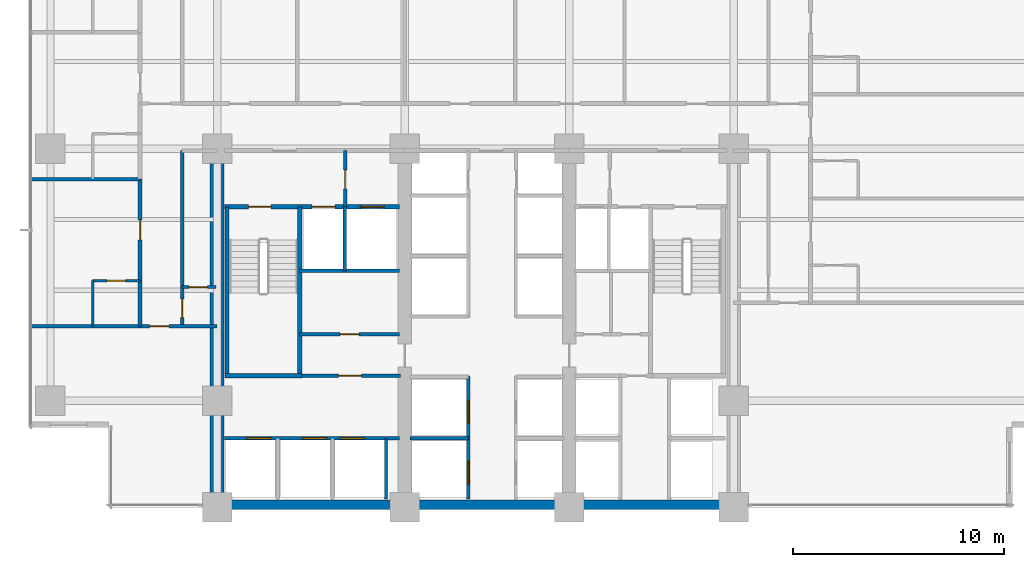
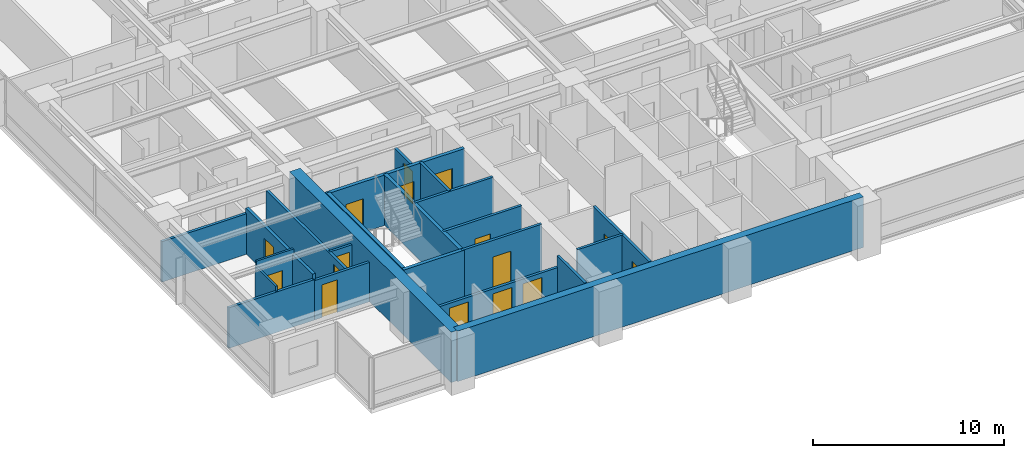
# One storey, part 7 of 16: 24 walls, 16 doors, 16 openings.
"""IFC4 building model written with IfcOpenShell, lengths in metres."""

from ifc_helpers import new_model, si_unit, direction, frame, frame_2d, origin, place, context, subcontext, project, spatial, rectangle, extrude, material, layer, layer_set, type_object, element, fill, save


model = new_model("IFC4")

# Units and contexts
model_context = context("Model", 3, precision=1e-05, world=origin(), true_north=direction((0.0, 1.0)))
body_context = subcontext(model_context, "Body", "Model", "MODEL_VIEW")
ifc_project = project(units=[si_unit("LENGTHUNIT", "METRE"), si_unit("AREAUNIT", "SQUARE_METRE"), si_unit("VOLUMEUNIT", "CUBIC_METRE"), si_unit("PLANEANGLEUNIT", "RADIAN"), si_unit("MASSUNIT", "GRAM", prefix="KILO")], contexts=[model_context])

# Site, building, storey
site_placement = place(None, origin())
site = spatial("IfcSite", under=ifc_project, at=site_placement, CompositionType="ELEMENT")
building_placement = place(site_placement, origin())
building = spatial("IfcBuilding", under=site, at=building_placement, Name="Qalmaran Belvedere Hotel", CompositionType="ELEMENT")
storey_placement = place(building_placement, frame((0.0, 0.0, 36.89990234375)))
storey = spatial("IfcBuildingStorey", under=building, at=storey_placement, Name="L08", CompositionType="ELEMENT", Elevation=36.89990234375)

# Walls
ifc_material_1 = material(Name="Concrete C60/75", Category="concrete")
ifc_layer_1 = layer(ifc_material_1, 0.64990234375, Name="Concrete C60/75")
ifc_layer_set_1 = layer_set([ifc_layer_1], Name="Concrete C60/75")
wall_type_1 = type_object("IfcWallType", Name="WL-CORE-650-C60", PredefinedType="SHEAR", material=ifc_layer_set_1)
wall_1_placement = place(storey_placement, frame((20.300048828125, 3.5, 0.0), z_axis=(0.0, 0.0, 1.0), x_axis=(0.0, 1.0, 0.0)))
element("IfcWall", 1, at=wall_1_placement, inside=storey, type_object=wall_type_1, Name="L08 West Core Shear Wall", PredefinedType="SHEAR", context=body_context, shape_type="SweptSolid", body=[
    extrude(rectangle(XDim=16.89990234375, YDim=0.64990234375, at=frame_2d((8.449951171875, 0.0))), origin(), (0.0, 0.0, 1.0), 3.22021484375),
])
ifc_material_2 = material(Name="Concrete C50/60", Category="concrete")
ifc_layer_2 = layer(ifc_material_2, 0.43994140625, Name="Concrete C50/60")
ifc_layer_set_2 = layer_set([ifc_layer_2], Name="Concrete C50/60")
wall_type_2 = type_object("IfcWallType", Name="WL-CORES-440-EXT", PredefinedType="SHEAR", material=ifc_layer_set_2)
wall_2_placement = place(storey_placement, frame((20.300048828125, 3.6298828125, 0.0), z_axis=(0.0, 0.0, 1.0), x_axis=(1.0, 0.0, 0.0)))
element("IfcWall", 2, at=wall_2_placement, inside=storey, type_object=wall_type_2, Name="L08 South Core Shear Wall", PredefinedType="SHEAR", context=body_context, shape_type="SweptSolid", body=[
    extrude(rectangle(XDim=24.5, YDim=0.43994140625, at=frame_2d((12.25, 0.0))), origin(), (0.0, 0.0, 1.0), 3.22021484375),
])

# Wall, opening, door
ifc_material_3 = material(Name="Moisture-Resistant Gypsum")
ifc_layer_3 = layer(ifc_material_3, 0.1201171875, Name="Moisture-Resistant Gypsum")
ifc_layer_set_3 = layer_set([ifc_layer_3], Name="Moisture-Resistant Gypsum")
wall_type_3 = type_object("IfcWallType", Name="WL-INT-120-BATH", PredefinedType="PARTITIONING", material=ifc_layer_set_3)
wall_3_placement = place(storey_placement, frame((14.39990234375, 14.25, 0.0), z_axis=(0.0, 0.0, 1.0), x_axis=(1.0, 0.0, 0.0)))
wall_3 = element("IfcWall", 3, at=wall_3_placement, inside=storey, type_object=wall_type_3, Name="L08 Partition WL-L08-WBN00", PredefinedType="PARTITIONING", context=body_context, shape_type="SweptSolid", body=[
    extrude(rectangle(XDim=2.25, YDim=0.1201171875, at=frame_2d((1.125, 0.0))), origin(), (0.0, 0.0, 1.0), 3.22021484375),
])
opening_1_placement = place(wall_3_placement, frame((1.56494140625, 0.0, 0.0), z_axis=(0.0, 0.0, 1.0), x_axis=(-1.0, 0.0, 0.0)))
opening_1 = element("IfcOpeningElement", 4, at=opening_1_placement, cuts=wall_3, Name="Opening D-BATH", PredefinedType="OPENING", context=body_context, shape_type="SweptSolid", body=[
    extrude(rectangle(XDim=0.8798828125, YDim=2.080078125, at=frame_2d((0.43994140625, 1.0400390625))), frame((0.0, 0.070068359375, 0.0), z_axis=(0.0, -1.0, 0.0), x_axis=(1.0, 0.0, 0.0)), (0.0, 0.0, 1.0), 0.14013671875),
])
ifc_material_4 = material(Name="Engineered Oak Veneer")
door_type_1 = type_object("IfcDoorType", Name="DR-INT-BATH-880X2080", OperationType="NOTDEFINED", PredefinedType="DOOR", material=ifc_material_4)
door_1_placement = place(opening_1_placement, origin())
door_1 = element("IfcDoor", 5, at=door_1_placement, inside=storey, type_object=door_type_1, Name="L08 W Ensuite Door 01", OperationType="SINGLE_SWING_RIGHT", OverallHeight=2.080078125, OverallWidth=0.8798828125, PredefinedType="DOOR", context=body_context, shape_type="SweptSolid", body=[
    extrude(rectangle(XDim=0.8798828125, YDim=2.080078125, at=frame_2d((0.43994140625, 1.0400390625))), frame((0.0, 0.02490234375, 0.0), z_axis=(0.0, -1.0, 0.0), x_axis=(1.0, 0.0, 0.0)), (0.0, 0.0, 1.0), 0.050048828125),
])
fill(opening_1, door_1)

# Wall
wall_4_placement = place(storey_placement, frame((14.39990234375, 12.10009765625, 0.0), z_axis=(0.0, 0.0, 1.0), x_axis=(0.0, 1.0, 0.0)))
element("IfcWall", 6, at=wall_4_placement, inside=storey, type_object=wall_type_3, Name="L08 Partition WL-L08-WBS00", PredefinedType="PARTITIONING", context=body_context, shape_type="SweptSolid", body=[
    extrude(rectangle(XDim=2.14990234375, YDim=0.1201171875, at=frame_2d((1.074951171875, 0.0))), origin(), (0.0, 0.0, 1.0), 2.902099609375),
])

# Wall, opening, door
ifc_material_5 = material(Name="Gypsum Stud Partition")
ifc_layer_4 = layer(ifc_material_5, 0.139892578125, Name="Gypsum Stud Partition")
ifc_layer_set_4 = layer_set([ifc_layer_4], Name="Gypsum Stud Partition")
wall_type_4 = type_object("IfcWallType", Name="WL-INT-140-NR", PredefinedType="PARTITIONING", material=ifc_layer_set_4)
wall_5_placement = place(storey_placement, frame((18.64990234375, 13.949951171875, 0.0), z_axis=(0.0, 0.0, 1.0), x_axis=(1.0, 0.0, 0.0)))
wall_5 = element("IfcWall", 7, at=wall_5_placement, inside=storey, type_object=wall_type_4, Name="L08 Partition WL-L08-WCLSUB", PredefinedType="PARTITIONING", context=body_context, shape_type="SweptSolid", body=[
    extrude(rectangle(XDim=1.60009765625, YDim=0.139892578125, at=frame_2d((0.800048828125, 0.0))), origin(), (0.0, 0.0, 1.0), 2.510009765625),
])
opening_2_placement = place(wall_5_placement, frame((1.193115234375, 0.0, 0.0), z_axis=(0.0, 0.0, 1.0), x_axis=(-1.0, 0.0, 0.0)))
opening_2 = element("IfcOpeningElement", 8, at=opening_2_placement, cuts=wall_5, Name="Opening D-BATH", PredefinedType="OPENING", context=body_context, shape_type="SweptSolid", body=[
    extrude(rectangle(XDim=0.8798828125, YDim=2.080078125, at=frame_2d((0.43994140625, 1.0400390625))), frame((0.0, 0.080078125, 0.0), z_axis=(0.0, -1.0, 0.0), x_axis=(1.0, 0.0, 0.0)), (0.0, 0.0, 1.0), 0.159912109375),
])
door_2_placement = place(opening_2_placement, origin())
door_2 = element("IfcDoor", 9, at=door_2_placement, inside=storey, type_object=door_type_1, Name="L08 Closet Alcove Door", OperationType="SINGLE_SWING_LEFT", OverallHeight=2.080078125, OverallWidth=0.8798828125, PredefinedType="DOOR", context=body_context, shape_type="SweptSolid", body=[
    extrude(rectangle(XDim=0.8798828125, YDim=2.080078125, at=frame_2d((0.43994140625, 1.0400390625))), frame((0.0, 0.02490234375, 0.0), z_axis=(0.0, -1.0, 0.0), x_axis=(1.0, 0.0, 0.0)), (0.0, 0.0, 1.0), 0.050048828125),
])
fill(opening_2, door_2)

# Walls
ifc_layer_5 = layer(ifc_material_5, 0.14990234375, Name="Gypsum Stud Partition")
ifc_layer_set_5 = layer_set([ifc_layer_5], Name="Gypsum Stud Partition")
wall_type_5 = type_object("IfcWallType", Name="WL-INT-150-EI120", PredefinedType="PARTITIONING", material=ifc_layer_set_5)
wall_6_placement = place(storey_placement, frame((26.360107421875, 14.719970703125, 0.0), z_axis=(0.0, 0.0, 1.0), x_axis=(0.0, 1.0, 0.0)))
element("IfcWall", 10, at=wall_6_placement, inside=storey, type_object=wall_type_5, Name="L08 Partition WL-FF1M-L08", PredefinedType="PARTITIONING", context=body_context, shape_type="SweptSolid", body=[
    extrude(rectangle(XDim=3.0400390625, YDim=0.14990234375, at=frame_2d((1.52001953125, 0.0))), origin(), (0.0, 0.0, 1.0), 3.22021484375),
])
wall_7_placement = place(storey_placement, frame((28.320068359375, 3.89990234375, 0.0), z_axis=(0.0, 0.0, 1.0), x_axis=(0.0, 1.0, 0.0)))
element("IfcWall", 11, at=wall_7_placement, inside=storey, type_object=wall_type_5, Name="L08 Partition WL-POM3-L08", PredefinedType="PARTITIONING", context=body_context, shape_type="SweptSolid", body=[
    extrude(rectangle(XDim=2.880126953125, YDim=0.14990234375, at=frame_2d((1.43994140625, 0.0))), origin(), (0.0, 0.0, 1.0), 3.22021484375),
])
wall_8_placement = place(storey_placement, frame((29.449951171875, 6.780029296875, 0.0), z_axis=(0.0, 0.0, 1.0), x_axis=(1.0, 0.0, 0.0)))
element("IfcWall", 12, at=wall_8_placement, inside=storey, type_object=wall_type_5, Name="L08 Partition WL-PLW-L08-67", PredefinedType="PARTITIONING", context=body_context, shape_type="SweptSolid", body=[
    extrude(rectangle(XDim=2.77001953125, YDim=0.14990234375, at=frame_2d((1.385009765625, 0.0))), origin(), (0.0, 0.0, 1.0), 3.22021484375),
])

# Wall, opening, door
ifc_layer_6 = layer(ifc_material_5, 0.159912109375, Name="Gypsum Stud Partition")
ifc_layer_set_6 = layer_set([ifc_layer_6], Name="Gypsum Stud Partition")
wall_type_6 = type_object("IfcWallType", Name="WL-INT-160-EI120", PredefinedType="PARTITIONING", material=ifc_layer_set_6)
wall_9_placement = place(storey_placement, frame((26.3798828125, 17.760009765625, 0.0), z_axis=(0.0, 0.0, 1.0), x_axis=(0.0, 1.0, 0.0)))
wall_9 = element("IfcWall", 13, at=wall_9_placement, inside=storey, type_object=wall_type_6, Name="L08 Partition WL-FFSV1-L08", PredefinedType="PARTITIONING", context=body_context, shape_type="SweptSolid", body=[
    extrude(rectangle(XDim=2.659912109375, YDim=0.159912109375, at=frame_2d((1.330078125, 0.0))), origin(), (0.0, 0.0, 1.0), 2.510009765625),
])
opening_3_placement = place(wall_9_placement, frame((0.85009765625, 0.0, 0.0)))
opening_3 = element("IfcOpeningElement", 14, at=opening_3_placement, cuts=wall_9, Name="Opening FD60B", PredefinedType="OPENING", context=body_context, shape_type="SweptSolid", body=[
    extrude(rectangle(XDim=0.8798828125, YDim=2.080078125, at=frame_2d((0.43994140625, 1.0400390625))), frame((0.0, 0.08984375, 0.0), z_axis=(0.0, -1.0, 0.0), x_axis=(1.0, 0.0, 0.0)), (0.0, 0.0, 1.0), 0.179931640625),
])
ifc_material_6 = material(Name="Steel S355JR", Category="steel")
door_type_2 = type_object("IfcDoorType", Name="DR-FD60B-880X2080", OperationType="NOTDEFINED", PredefinedType="DOOR", material=ifc_material_6)
door_3_placement = place(opening_3_placement, origin())
door_3 = element("IfcDoor", 15, at=door_3_placement, inside=storey, type_object=door_type_2, Name="L08 Service Lobby West Door", OperationType="SINGLE_SWING_LEFT", OverallHeight=2.080078125, OverallWidth=0.8798828125, PredefinedType="DOOR", context=body_context, shape_type="SweptSolid", body=[
    extrude(rectangle(XDim=0.8798828125, YDim=2.080078125, at=frame_2d((0.43994140625, 1.0400390625))), frame((0.0, 0.02490234375, 0.0), z_axis=(0.0, -1.0, 0.0), x_axis=(1.0, 0.0, 0.0)), (0.0, 0.0, 1.0), 0.050048828125),
])
fill(opening_3, door_3)

# Wall
wall_10_placement = place(storey_placement, frame((24.219970703125, 14.719970703125, 0.0), z_axis=(0.0, 0.0, 1.0), x_axis=(1.0, 0.0, 0.0)))
element("IfcWall", 16, at=wall_10_placement, inside=storey, type_object=wall_type_6, Name="L08 Partition WL-FF1S-L08", PredefinedType="PARTITIONING", context=body_context, shape_type="SweptSolid", body=[
    extrude(rectangle(XDim=4.72998046875, YDim=0.159912109375, at=frame_2d((2.364990234375, 0.0))), origin(), (0.0, 0.0, 1.0), 3.22021484375),
])

# Wall, openings, doors
wall_11_placement = place(storey_placement, frame((20.64990234375, 6.780029296875, 0.0), z_axis=(0.0, 0.0, 1.0), x_axis=(1.0, 0.0, 0.0)))
wall_11 = element("IfcWall", 17, at=wall_11_placement, inside=storey, type_object=wall_type_6, Name="L08 Partition WL-POS-L08", PredefinedType="PARTITIONING", context=body_context, shape_type="SweptSolid", body=[
    extrude(rectangle(XDim=8.300048828125, YDim=0.159912109375, at=frame_2d((4.14990234375, 0.0))), origin(), (0.0, 0.0, 1.0), 2.510009765625),
])
opening_4_placement = place(wall_11_placement, frame((3.69482421875, 0.0, 0.0)))
opening_4 = element("IfcOpeningElement", 18, at=opening_4_placement, cuts=wall_11, Name="Opening LD-PO", PredefinedType="OPENING", context=body_context, shape_type="SweptSolid", body=[
    extrude(rectangle(XDim=1.14990234375, YDim=2.199951171875, at=frame_2d((0.574951171875, 1.10009765625))), frame((0.0, 0.08984375, 0.0), z_axis=(0.0, -1.0, 0.0), x_axis=(1.0, 0.0, 0.0)), (0.0, 0.0, 1.0), 0.179931640625),
])
opening_5_placement = place(wall_11_placement, frame((5.4921875, 0.0, 0.0)))
opening_5 = element("IfcOpeningElement", 19, at=opening_5_placement, cuts=wall_11, Name="Opening LD-PO", PredefinedType="OPENING", context=body_context, shape_type="SweptSolid", body=[
    extrude(rectangle(XDim=1.14990234375, YDim=2.199951171875, at=frame_2d((0.574951171875, 1.10009765625))), frame((0.0, 0.08984375, 0.0), z_axis=(0.0, -1.0, 0.0), x_axis=(1.0, 0.0, 0.0)), (0.0, 0.0, 1.0), 0.179931640625),
])
opening_6_placement = place(wall_11_placement, frame((1.058837890625, 0.0, 0.0)))
opening_6 = element("IfcOpeningElement", 20, at=opening_6_placement, cuts=wall_11, Name="Opening LD-PO", PredefinedType="OPENING", context=body_context, shape_type="SweptSolid", body=[
    extrude(rectangle(XDim=1.14990234375, YDim=2.199951171875, at=frame_2d((0.574951171875, 1.10009765625))), frame((0.0, 0.08984375, 0.0), z_axis=(0.0, -1.0, 0.0), x_axis=(1.0, 0.0, 0.0)), (0.0, 0.0, 1.0), 0.179931640625),
])
ifc_material_7 = material(Name="Anodised Bronze Aluminium", Category="aluminium")
door_type_3 = type_object("IfcDoorType", Name="DR-LIFT-PO-1150X2200", OperationType="DOUBLE_DOOR_SLIDING", PredefinedType="DOOR", material=ifc_material_7)
door_4_placement = place(opening_4_placement, origin())
door_4 = element("IfcDoor", 21, at=door_4_placement, inside=storey, type_object=door_type_3, Name="L08 PO1 Shuttle Landing Door", OperationType="DOUBLE_DOOR_SLIDING", OverallHeight=2.199951171875, OverallWidth=1.14990234375, PredefinedType="DOOR", context=body_context, shape_type="SweptSolid", body=[
    extrude(rectangle(XDim=1.14990234375, YDim=2.199951171875, at=frame_2d((0.574951171875, 1.10009765625))), frame((0.0, 0.02490234375, 0.0), z_axis=(0.0, -1.0, 0.0), x_axis=(1.0, 0.0, 0.0)), (0.0, 0.0, 1.0), 0.050048828125),
])
fill(opening_4, door_4)
door_5_placement = place(opening_5_placement, origin())
door_5 = element("IfcDoor", 22, at=door_5_placement, inside=storey, type_object=door_type_3, Name="L08 PO2 Shuttle Landing Door", OperationType="DOUBLE_DOOR_SLIDING", OverallHeight=2.199951171875, OverallWidth=1.14990234375, PredefinedType="DOOR", context=body_context, shape_type="SweptSolid", body=[
    extrude(rectangle(XDim=1.14990234375, YDim=2.199951171875, at=frame_2d((0.574951171875, 1.10009765625))), frame((0.0, 0.02490234375, 0.0), z_axis=(0.0, -1.0, 0.0), x_axis=(1.0, 0.0, 0.0)), (0.0, 0.0, 1.0), 0.050048828125),
])
fill(opening_5, door_5)
door_6_placement = place(opening_6_placement, origin())
door_6 = element("IfcDoor", 23, at=door_6_placement, inside=storey, type_object=door_type_3, Name="L08 PO3 Shuttle Landing Door", OperationType="DOUBLE_DOOR_SLIDING", OverallHeight=2.199951171875, OverallWidth=1.14990234375, PredefinedType="DOOR", context=body_context, shape_type="SweptSolid", body=[
    extrude(rectangle(XDim=1.14990234375, YDim=2.199951171875, at=frame_2d((0.574951171875, 1.10009765625))), frame((0.0, 0.02490234375, 0.0), z_axis=(0.0, -1.0, 0.0), x_axis=(1.0, 0.0, 0.0)), (0.0, 0.0, 1.0), 0.050048828125),
])
fill(opening_6, door_6)

# Wall, opening, door
wall_12_placement = place(storey_placement, frame((24.199951171875, 9.739990234375, 0.0), z_axis=(0.0, 0.0, 1.0), x_axis=(1.0, 0.0, 0.0)))
wall_12 = element("IfcWall", 24, at=wall_12_placement, inside=storey, type_object=wall_type_6, Name="L08 Partition WL-PON-L08", PredefinedType="PARTITIONING", context=body_context, shape_type="SweptSolid", body=[
    extrude(rectangle(XDim=4.800048828125, YDim=0.159912109375, at=frame_2d((2.39990234375, 0.0))), origin(), (0.0, 0.0, 1.0), 3.22021484375),
])
opening_7_placement = place(wall_12_placement, frame((1.85009765625, 0.0, 0.0)))
opening_7 = element("IfcOpeningElement", 25, at=opening_7_placement, cuts=wall_12, Name="Opening FD90", PredefinedType="OPENING", context=body_context, shape_type="SweptSolid", body=[
    extrude(rectangle(XDim=1.10009765625, YDim=2.14990234375, at=frame_2d((0.550048828125, 1.074951171875))), frame((0.0, 0.08984375, 0.0), z_axis=(0.0, -1.0, 0.0), x_axis=(1.0, 0.0, 0.0)), (0.0, 0.0, 1.0), 0.179931640625),
])
door_type_4 = type_object("IfcDoorType", Name="DR-FD90-1100X2150", OperationType="NOTDEFINED", PredefinedType="DOOR", material=ifc_material_6)
door_7_placement = place(opening_7_placement, origin())
door_7 = element("IfcDoor", 26, at=door_7_placement, inside=storey, type_object=door_type_4, Name="L08 Shuttle Lobby Passage Door", OperationType="SINGLE_SWING_LEFT", OverallHeight=2.14990234375, OverallWidth=1.10009765625, PredefinedType="DOOR", context=body_context, shape_type="SweptSolid", body=[
    extrude(rectangle(XDim=1.10009765625, YDim=2.14990234375, at=frame_2d((0.550048828125, 1.074951171875))), frame((0.0, 0.02490234375, 0.0), z_axis=(0.0, -1.0, 0.0), x_axis=(1.0, 0.0, 0.0)), (0.0, 0.0, 1.0), 0.050048828125),
])
fill(opening_7, door_7)

# Wall, openings, doors
wall_13_placement = place(storey_placement, frame((32.219970703125, 3.89990234375, 0.0), z_axis=(0.0, 0.0, 1.0), x_axis=(0.0, 1.0, 0.0)))
wall_13 = element("IfcWall", 27, at=wall_13_placement, inside=storey, type_object=wall_type_6, Name="L08 Partition WL-CLBWS-L08", PredefinedType="PARTITIONING", context=body_context, shape_type="SweptSolid", body=[
    extrude(rectangle(XDim=5.840087890625, YDim=0.159912109375, at=frame_2d((2.919921875, 0.0))), origin(), (0.0, 0.0, 1.0), 3.22021484375),
])
opening_8_placement = place(wall_13_placement, frame((1.780029296875, 0.0, 0.0), z_axis=(0.0, 0.0, 1.0), x_axis=(-1.0, 0.0, 0.0)))
opening_8 = element("IfcOpeningElement", 28, at=opening_8_placement, cuts=wall_13, Name="Opening LD-P1", PredefinedType="OPENING", context=body_context, shape_type="SweptSolid", body=[
    extrude(rectangle(XDim=1.080078125, YDim=2.159912109375, at=frame_2d((0.5400390625, 1.080078125))), frame((0.0, 0.08984375, 0.0), z_axis=(0.0, -1.0, 0.0), x_axis=(1.0, 0.0, 0.0)), (0.0, 0.0, 1.0), 0.179931640625),
])
opening_9_placement = place(wall_13_placement, frame((4.68017578125, 0.0, 0.0), z_axis=(0.0, 0.0, 1.0), x_axis=(-1.0, 0.0, 0.0)))
opening_9 = element("IfcOpeningElement", 29, at=opening_9_placement, cuts=wall_13, Name="Opening LD-P1", PredefinedType="OPENING", context=body_context, shape_type="SweptSolid", body=[
    extrude(rectangle(XDim=1.080078125, YDim=2.159912109375, at=frame_2d((0.5400390625, 1.080078125))), frame((0.0, 0.08984375, 0.0), z_axis=(0.0, -1.0, 0.0), x_axis=(1.0, 0.0, 0.0)), (0.0, 0.0, 1.0), 0.179931640625),
])
ifc_material_8 = material(Name="Stainless Steel 1.4401", Category="steel")
door_type_5 = type_object("IfcDoorType", Name="DR-LIFT-P1-1080X2160", OperationType="DOUBLE_DOOR_SLIDING", PredefinedType="DOOR", material=ifc_material_8)
door_8_placement = place(opening_8_placement, origin())
door_8 = element("IfcDoor", 30, at=door_8_placement, inside=storey, type_object=door_type_5, Name="L08 PL1 Lift Landing Door", OperationType="DOUBLE_DOOR_SLIDING", OverallHeight=2.159912109375, OverallWidth=1.080078125, PredefinedType="DOOR", context=body_context, shape_type="SweptSolid", body=[
    extrude(rectangle(XDim=1.080078125, YDim=2.159912109375, at=frame_2d((0.5400390625, 1.080078125))), frame((0.0, 0.02490234375, 0.0), z_axis=(0.0, -1.0, 0.0), x_axis=(1.0, 0.0, 0.0)), (0.0, 0.0, 1.0), 0.050048828125),
])
fill(opening_8, door_8)
door_9_placement = place(opening_9_placement, origin())
door_9 = element("IfcDoor", 31, at=door_9_placement, inside=storey, type_object=door_type_5, Name="L08 PL2 Lift Landing Door", OperationType="DOUBLE_DOOR_SLIDING", OverallHeight=2.159912109375, OverallWidth=1.080078125, PredefinedType="DOOR", context=body_context, shape_type="SweptSolid", body=[
    extrude(rectangle(XDim=1.080078125, YDim=2.159912109375, at=frame_2d((0.5400390625, 1.080078125))), frame((0.0, 0.02490234375, 0.0), z_axis=(0.0, -1.0, 0.0), x_axis=(1.0, 0.0, 0.0)), (0.0, 0.0, 1.0), 0.050048828125),
])
fill(opening_9, door_9)

# Wall, opening, door
ifc_layer_7 = layer(ifc_material_5, 0.159912109375, Name="Gypsum Stud Partition")
ifc_layer_set_7 = layer_set([ifc_layer_7], Name="Gypsum Stud Partition")
wall_type_7 = type_object("IfcWallType", Name="WL-INT-160-EI60", PredefinedType="PARTITIONING", material=ifc_layer_set_7)
wall_14_placement = place(storey_placement, frame((24.219970703125, 11.719970703125, 0.0), z_axis=(0.0, 0.0, 1.0), x_axis=(1.0, 0.0, 0.0)))
wall_14 = element("IfcWall", 32, at=wall_14_placement, inside=storey, type_object=wall_type_7, Name="L08 Partition WL-L08-KWE1", PredefinedType="PARTITIONING", context=body_context, shape_type="SweptSolid", body=[
    extrude(rectangle(XDim=4.72998046875, YDim=0.159912109375, at=frame_2d((2.364990234375, 0.0))), origin(), (0.0, 0.0, 1.0), 3.22021484375),
])
opening_10_placement = place(wall_14_placement, frame((1.905029296875, 0.0, 0.0)))
opening_10 = element("IfcOpeningElement", 33, at=opening_10_placement, cuts=wall_14, Name="Opening FD60S1", PredefinedType="OPENING", context=body_context, shape_type="SweptSolid", body=[
    extrude(rectangle(XDim=0.919921875, YDim=2.080078125, at=frame_2d((0.4599609375, 1.0400390625))), frame((0.0, 0.08984375, 0.0), z_axis=(0.0, -1.0, 0.0), x_axis=(1.0, 0.0, 0.0)), (0.0, 0.0, 1.0), 0.179931640625),
])
door_type_6 = type_object("IfcDoorType", Name="DR-FD60S-920X2080", OperationType="NOTDEFINED", PredefinedType="DOOR", material=ifc_material_4)
door_10_placement = place(opening_10_placement, origin())
door_10 = element("IfcDoor", 34, at=door_10_placement, inside=storey, type_object=door_type_6, Name="L08 Electrical Distribution Room Door", OperationType="SINGLE_SWING_RIGHT", OverallHeight=2.080078125, OverallWidth=0.919921875, PredefinedType="DOOR", context=body_context, shape_type="SweptSolid", body=[
    extrude(rectangle(XDim=0.919921875, YDim=2.080078125, at=frame_2d((0.4599609375, 1.0400390625))), frame((0.0, 0.02490234375, 0.0), z_axis=(0.0, -1.0, 0.0), x_axis=(1.0, 0.0, 0.0)), (0.0, 0.0, 1.0), 0.050048828125),
])
fill(opening_10, door_10)

wall_15_placement = place(storey_placement, frame((16.64990234375, 12.10009765625, 0.0), z_axis=(0.0, 0.0, 1.0), x_axis=(1.0, 0.0, 0.0)))
wall_15 = element("IfcWall", 35, at=wall_15_placement, inside=storey, type_object=wall_type_7, Name="L08 Partition WL-L08-SWRL", PredefinedType="PARTITIONING", context=body_context, shape_type="SweptSolid", body=[
    extrude(rectangle(XDim=3.650146484375, YDim=0.159912109375, at=frame_2d((1.8251953125, 0.0))), origin(), (0.0, 0.0, 1.0), 2.510009765625),
])
opening_11_placement = place(wall_15_placement, frame((1.369873046875, 0.0, 0.0), z_axis=(0.0, 0.0, 1.0), x_axis=(-1.0, 0.0, 0.0)))
opening_11 = element("IfcOpeningElement", 36, at=opening_11_placement, cuts=wall_15, Name="Opening FD60S1", PredefinedType="OPENING", context=body_context, shape_type="SweptSolid", body=[
    extrude(rectangle(XDim=0.919921875, YDim=2.080078125, at=frame_2d((0.4599609375, 1.0400390625))), frame((0.0, 0.08984375, 0.0), z_axis=(0.0, -1.0, 0.0), x_axis=(1.0, 0.0, 0.0)), (0.0, 0.0, 1.0), 0.179931640625),
])
door_11_placement = place(opening_11_placement, origin())
door_11 = element("IfcDoor", 37, at=door_11_placement, inside=storey, type_object=door_type_6, Name="L08 SW Lounge Door", OperationType="SINGLE_SWING_LEFT", OverallHeight=2.080078125, OverallWidth=0.919921875, PredefinedType="DOOR", context=body_context, shape_type="SweptSolid", body=[
    extrude(rectangle(XDim=0.919921875, YDim=2.080078125, at=frame_2d((0.4599609375, 1.0400390625))), frame((0.0, 0.02490234375, 0.0), z_axis=(0.0, -1.0, 0.0), x_axis=(1.0, 0.0, 0.0)), (0.0, 0.0, 1.0), 0.050048828125),
])
fill(opening_11, door_11)

wall_16_placement = place(storey_placement, frame((18.64990234375, 12.10009765625, 0.0), z_axis=(0.0, 0.0, 1.0), x_axis=(0.0, 1.0, 0.0)))
wall_16 = element("IfcWall", 38, at=wall_16_placement, inside=storey, type_object=wall_type_7, Name="L08 Partition WL-L08-WCL", PredefinedType="PARTITIONING", context=body_context, shape_type="SweptSolid", body=[
    extrude(rectangle(XDim=8.31982421875, YDim=0.159912109375, at=frame_2d((4.159912109375, 0.0))), origin(), (0.0, 0.0, 1.0), 2.510009765625),
])
opening_12_placement = place(wall_16_placement, frame((1.27978515625, 0.0, 0.0), z_axis=(0.0, 0.0, 1.0), x_axis=(-1.0, 0.0, 0.0)))
opening_12 = element("IfcOpeningElement", 39, at=opening_12_placement, cuts=wall_16, Name="Opening FD60B", PredefinedType="OPENING", context=body_context, shape_type="SweptSolid", body=[
    extrude(rectangle(XDim=0.8798828125, YDim=2.080078125, at=frame_2d((0.43994140625, 1.0400390625))), frame((0.0, 0.08984375, 0.0), z_axis=(0.0, -1.0, 0.0), x_axis=(1.0, 0.0, 0.0)), (0.0, 0.0, 1.0), 0.179931640625),
])
door_12_placement = place(opening_12_placement, origin())
door_12 = element("IfcDoor", 40, at=door_12_placement, inside=storey, type_object=door_type_2, Name="L08 West Closet Door", OperationType="SINGLE_SWING_LEFT", OverallHeight=2.080078125, OverallWidth=0.8798828125, PredefinedType="DOOR", context=body_context, shape_type="SweptSolid", body=[
    extrude(rectangle(XDim=0.8798828125, YDim=2.080078125, at=frame_2d((0.43994140625, 1.0400390625))), frame((0.0, 0.02490234375, 0.0), z_axis=(0.0, -1.0, 0.0), x_axis=(1.0, 0.0, 0.0)), (0.0, 0.0, 1.0), 0.050048828125),
])
fill(opening_12, door_12)

# Walls
for number, where, z_axis, x_axis, name in (
    (41, (11.469970703125, 12.10009765625, 0.0), (0.0, 0.0, 1.0), (1.0, 0.0, 0.0), "L08 Partition WL-L08-WBOT"),
    (42, (11.469970703125, 19.066650390625, 0.0), (0.0, 0.0, 1.0), (1.0, 0.0, 0.0), "L08 Partition WL-L08-WU00"),
):
    element("IfcWall", number, at=place(storey_placement, frame(where, z_axis=z_axis, x_axis=x_axis)), inside=storey, type_object=wall_type_7, Name=name, PredefinedType="PARTITIONING", context=body_context, shape_type="SweptSolid", body=[
        extrude(rectangle(XDim=5.179931640625, YDim=0.159912109375, at=frame_2d((2.58984375, 0.0))), origin(), (0.0, 0.0, 1.0), 2.5830078125),
    ])
ifc_layer_8 = layer(ifc_material_5, 0.179931640625, Name="Gypsum Stud Partition")
ifc_layer_set_8 = layer_set([ifc_layer_8], Name="Gypsum Stud Partition")
wall_type_8 = type_object("IfcWallType", Name="WL-INT-180-EI60", PredefinedType="PARTITIONING", material=ifc_layer_set_8)
wall_17_placement = place(storey_placement, frame((16.64990234375, 12.10009765625, 0.0), z_axis=(0.0, 0.0, 1.0), x_axis=(0.0, 1.0, 0.0)))
element("IfcWall", 43, at=wall_17_placement, inside=storey, type_object=wall_type_8, Name="L08 Partition WL-L08-WBC00", PredefinedType="PARTITIONING", context=body_context, shape_type="SweptSolid", body=[
    extrude(rectangle(XDim=2.14990234375, YDim=0.179931640625, at=frame_2d((1.074951171875, 0.0))), origin(), (0.0, 0.0, 1.0), 2.902099609375),
])

# Wall, opening, door
wall_18_placement = place(storey_placement, frame((16.64990234375, 14.25, 0.0), z_axis=(0.0, 0.0, 1.0), x_axis=(0.0, 1.0, 0.0)))
wall_18 = element("IfcWall", 44, at=wall_18_placement, inside=storey, type_object=wall_type_8, Name="L08 Partition WL-L08-WEC00", PredefinedType="PARTITIONING", context=body_context, shape_type="SweptSolid", body=[
    extrude(rectangle(XDim=4.816650390625, YDim=0.179931640625, at=frame_2d((2.408203125, 0.0))), origin(), (0.0, 0.0, 1.0), 2.902099609375),
])
opening_13_placement = place(wall_18_placement, frame((1.933349609375, 0.0, 0.0)))
opening_13 = element("IfcOpeningElement", 45, at=opening_13_placement, cuts=wall_18, Name="Opening FD60", PredefinedType="OPENING", context=body_context, shape_type="SweptSolid", body=[
    extrude(rectangle(XDim=0.949951171875, YDim=2.14990234375, at=frame_2d((0.47509765625, 1.074951171875))), frame((0.0, 0.10009765625, 0.0), z_axis=(0.0, -1.0, 0.0), x_axis=(1.0, 0.0, 0.0)), (0.0, 0.0, 1.0), 0.199951171875),
])
door_type_7 = type_object("IfcDoorType", Name="DR-FD60-950X2150", OperationType="NOTDEFINED", PredefinedType="DOOR", material=ifc_material_4)
door_13_placement = place(opening_13_placement, origin())
door_13 = element("IfcDoor", 46, at=door_13_placement, inside=storey, type_object=door_type_7, Name="L08 W Wing Door 01", OperationType="SINGLE_SWING_LEFT", OverallHeight=2.14990234375, OverallWidth=0.949951171875, PredefinedType="DOOR", context=body_context, shape_type="SweptSolid", body=[
    extrude(rectangle(XDim=0.949951171875, YDim=2.14990234375, at=frame_2d((0.47509765625, 1.074951171875))), frame((0.0, 0.02490234375, 0.0), z_axis=(0.0, -1.0, 0.0), x_axis=(1.0, 0.0, 0.0)), (0.0, 0.0, 1.0), 0.050048828125),
])
fill(opening_13, door_13)

# Walls
ifc_layer_9 = layer(ifc_material_2, 0.2099609375, Name="Concrete C50/60")
ifc_layer_set_9 = layer_set([ifc_layer_9], Name="Concrete C50/60")
wall_type_9 = type_object("IfcWallType", Name="WL-STAIR-210-C50", PredefinedType="SHEAR", material=ifc_layer_set_9)
for number, where, z_axis, x_axis, name in (
    (47, (20.77490234375, 9.7451171875, 0.0), (0.0, 0.0, 1.0), (0.0, 1.0, 0.0), "L08 Stair ST-1 West Bearing Wall"),
    (48, (24.22509765625, 9.7451171875, 0.0), (0.0, 0.0, 1.0), (0.0, 1.0, 0.0), "L08 Stair ST-1 East Bearing Wall"),
):
    element("IfcWall", number, at=place(storey_placement, frame(where, z_axis=z_axis, x_axis=x_axis)), inside=storey, type_object=wall_type_9, Name=name, PredefinedType="SHEAR", context=body_context, shape_type="SweptSolid", body=[
        extrude(rectangle(XDim=8.009765625, YDim=0.2099609375, at=frame_2d((4.0048828125, 0.0))), origin(), (0.0, 0.0, 1.0), 3.22021484375),
    ])
wall_19_placement = place(storey_placement, frame((20.669921875, 9.7451171875, 0.0), z_axis=(0.0, 0.0, 1.0), x_axis=(1.0, 0.0, 0.0)))
element("IfcWall", 49, at=wall_19_placement, inside=storey, type_object=wall_type_9, Name="L08 Stair ST-1 South Bearing Wall", PredefinedType="SHEAR", context=body_context, shape_type="SweptSolid", body=[
    extrude(rectangle(XDim=3.66015625, YDim=0.2099609375, at=frame_2d((1.830078125, 0.0))), origin(), (0.0, 0.0, 1.0), 3.22021484375),
])

# Wall, openings, doors
wall_20_placement = place(storey_placement, frame((20.64990234375, 17.7548828125, 0.0), z_axis=(0.0, 0.0, 1.0), x_axis=(1.0, 0.0, 0.0)))
wall_20 = element("IfcWall", 50, at=wall_20_placement, inside=storey, type_object=wall_type_9, Name="L08 West Lobby and Stair ST-1 North Bearing Wall", PredefinedType="SHEAR", context=body_context, shape_type="SweptSolid", body=[
    extrude(rectangle(XDim=8.300048828125, YDim=0.2099609375, at=frame_2d((4.14990234375, 0.0))), origin(), (0.0, 0.0, 1.0), 3.22021484375),
])
opening_14_placement = place(wall_20_placement, frame((2.199951171875, 0.0, 0.0), z_axis=(0.0, 0.0, 1.0), x_axis=(-1.0, 0.0, 0.0)))
opening_14 = element("IfcOpeningElement", 51, at=opening_14_placement, cuts=wall_20, Name="Opening FD90S2", PredefinedType="OPENING", context=body_context, shape_type="SweptSolid", body=[
    extrude(rectangle(XDim=1.050048828125, YDim=2.14990234375, at=frame_2d((0.52490234375, 1.074951171875))), frame((0.0, 0.114990234375, 0.0), z_axis=(0.0, -1.0, 0.0), x_axis=(1.0, 0.0, 0.0)), (0.0, 0.0, 1.0), 0.22998046875),
])
opening_15_placement = place(wall_20_placement, frame((4.14990234375, 0.0, 0.0)))
opening_15 = element("IfcOpeningElement", 52, at=opening_15_placement, cuts=wall_20, Name="Opening LD-FF", PredefinedType="OPENING", context=body_context, shape_type="SweptSolid", body=[
    extrude(rectangle(XDim=1.10009765625, YDim=2.179931640625, at=frame_2d((0.550048828125, 1.08984375))), frame((0.0, 0.114990234375, 0.0), z_axis=(0.0, -1.0, 0.0), x_axis=(1.0, 0.0, 0.0)), (0.0, 0.0, 1.0), 0.22998046875),
])
opening_16_placement = place(wall_20_placement, frame((6.449951171875, 0.0, 0.0)))
opening_16 = element("IfcOpeningElement", 53, at=opening_16_placement, cuts=wall_20, Name="Opening LD-SV", PredefinedType="OPENING", context=body_context, shape_type="SweptSolid", body=[
    extrude(rectangle(XDim=1.1201171875, YDim=2.199951171875, at=frame_2d((0.56005859375, 1.10009765625))), frame((0.0, 0.114990234375, 0.0), z_axis=(0.0, -1.0, 0.0), x_axis=(1.0, 0.0, 0.0)), (0.0, 0.0, 1.0), 0.22998046875),
])
door_type_8 = type_object("IfcDoorType", Name="DR-FD90S-1050X2150", OperationType="NOTDEFINED", PredefinedType="DOOR", material=ifc_material_6)
door_14_placement = place(opening_14_placement, origin())
door_14 = element("IfcDoor", 54, at=door_14_placement, inside=storey, type_object=door_type_8, Name="L08 Stair ST-1 Door", OperationType="SINGLE_SWING_LEFT", OverallHeight=2.14990234375, OverallWidth=1.050048828125, PredefinedType="DOOR", context=body_context, shape_type="SweptSolid", body=[
    extrude(rectangle(XDim=1.050048828125, YDim=2.14990234375, at=frame_2d((0.52490234375, 1.074951171875))), frame((0.0, 0.02490234375, 0.0), z_axis=(0.0, -1.0, 0.0), x_axis=(1.0, 0.0, 0.0)), (0.0, 0.0, 1.0), 0.050048828125),
])
fill(opening_14, door_14)
door_type_9 = type_object("IfcDoorType", Name="DR-LIFT-FF-1100X2180", OperationType="DOUBLE_DOOR_SLIDING", PredefinedType="DOOR", material=ifc_material_8)
door_15_placement = place(opening_15_placement, origin())
door_15 = element("IfcDoor", 55, at=door_15_placement, inside=storey, type_object=door_type_9, Name="L08 FF1 Lift Landing Door", OperationType="DOUBLE_DOOR_SLIDING", OverallHeight=2.179931640625, OverallWidth=1.10009765625, PredefinedType="DOOR", context=body_context, shape_type="SweptSolid", body=[
    extrude(rectangle(XDim=1.10009765625, YDim=2.179931640625, at=frame_2d((0.550048828125, 1.08984375))), frame((0.0, 0.02490234375, 0.0), z_axis=(0.0, -1.0, 0.0), x_axis=(1.0, 0.0, 0.0)), (0.0, 0.0, 1.0), 0.050048828125),
])
fill(opening_15, door_15)
door_type_10 = type_object("IfcDoorType", Name="DR-LIFT-SV-1120X2200", OperationType="DOUBLE_DOOR_SLIDING", PredefinedType="DOOR", material=ifc_material_8)
door_16_placement = place(opening_16_placement, origin())
door_16 = element("IfcDoor", 56, at=door_16_placement, inside=storey, type_object=door_type_10, Name="L08 SV1 Lift Landing Door", OperationType="DOUBLE_DOOR_SLIDING", OverallHeight=2.199951171875, OverallWidth=1.1201171875, PredefinedType="DOOR", context=body_context, shape_type="SweptSolid", body=[
    extrude(rectangle(XDim=1.1201171875, YDim=2.199951171875, at=frame_2d((0.56005859375, 1.10009765625))), frame((0.0, 0.02490234375, 0.0), z_axis=(0.0, -1.0, 0.0), x_axis=(1.0, 0.0, 0.0)), (0.0, 0.0, 1.0), 0.050048828125),
])
fill(opening_16, door_16)

save(model, "model.ifc")
